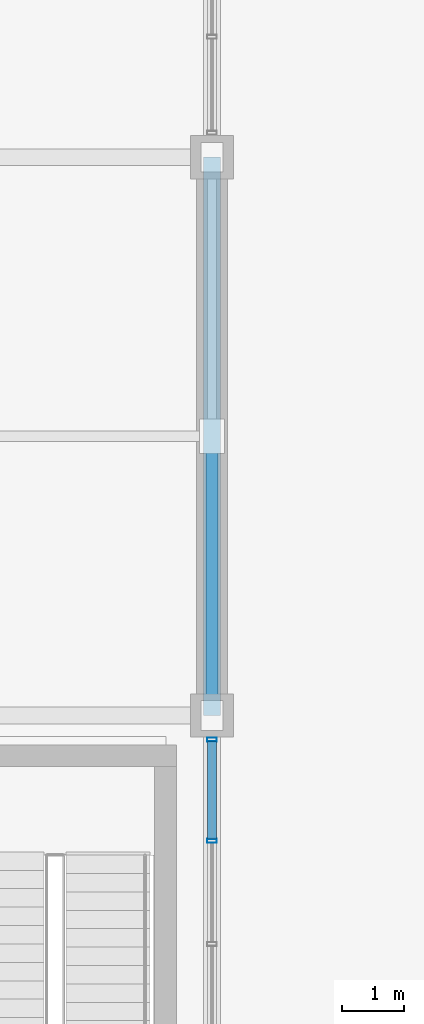
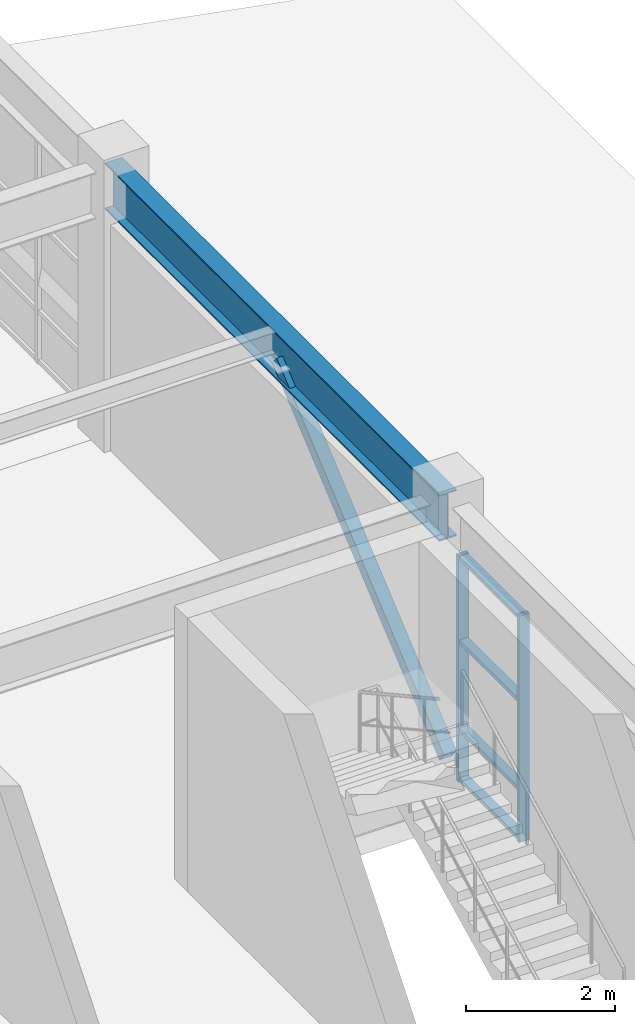
# One storey, part 66 of 104: 7 members, 1 beam, 1 element without a shape of its own.
"""IFC4 building model written with IfcOpenShell, lengths in metres."""

from ifc_helpers import new_model, si_unit, direction, frame, origin, origin_2d, place, context, subcontext, project, spatial, hollow_rectangle, i_section, extrude, material, layer, layer_set, material_profile, profile_set, type_object, element, aggregate, save


model = new_model("IFC4")

# Units and contexts
model_context = context("Model", 3, precision=1e-05, world=origin(), true_north=direction((0.0, 1.0)))
body_context = subcontext(model_context, "Body", "Model", "MODEL_VIEW")
ifc_project = project(units=[si_unit("LENGTHUNIT", "METRE"), si_unit("AREAUNIT", "SQUARE_METRE"), si_unit("VOLUMEUNIT", "CUBIC_METRE"), si_unit("PLANEANGLEUNIT", "RADIAN"), si_unit("MASSUNIT", "GRAM", prefix="KILO")], contexts=[model_context])

# Site, building, storey
site_placement = place(None, origin())
site = spatial("IfcSite", under=ifc_project, at=site_placement, CompositionType="ELEMENT")
building_placement = place(site_placement, origin())
building = spatial("IfcBuilding", under=site, at=building_placement, Name="Ventoquebrada Cableway Terminal", CompositionType="ELEMENT")
storey_placement = place(building_placement, frame((0.0, 0.0, 4.800048828125)))
storey = spatial("IfcBuildingStorey", under=building, at=storey_placement, Name="L01", CompositionType="ELEMENT", Elevation=4.800048828125)

# Beam
ifc_material_1 = material(Name="Steel ASTM A992 Grade 50", Category="steel")
ifc_material_profile_1 = material_profile(ifc_material_1, i_section(OverallWidth=0.26708984375, OverallDepth=0.761962890625, WebThickness=0.014404296875, FlangeThickness=0.021484375, at=origin_2d()), Name="W30X116")
ifc_profile_set_1 = profile_set([ifc_material_profile_1], Name="Steel ASTM A992 Grade 50")
beam_type = type_object("IfcBeamType", Name="BM-ST05", PredefinedType="BEAM", material=ifc_profile_set_1)
beam_placement = place(storey_placement, frame((156.0, 86.0, 4.093994140625), z_axis=(0.0, 1.0, 0.0), x_axis=(-1.0, 0.0, 0.0)))
element("IfcBeam", 1, at=beam_placement, inside=storey, type_object=beam_type, Name="Primary frame girder FBM-0854", PredefinedType="BEAM", context=body_context, shape_type="SweptSolid", body=[
    extrude(i_section(OverallWidth=0.26708984375, OverallDepth=0.761962890625, WebThickness=0.014404296875, FlangeThickness=0.021484375, at=origin_2d()), origin(), (0.0, 0.0, 1.0), 9.0),
])

# Member
ifc_material_2 = material(Name="Steel ASTM A500 Grade C", Category="steel")
ifc_material_profile_2 = material_profile(ifc_material_2, hollow_rectangle(XDim=0.199951171875, YDim=0.199951171875, WallThickness=0.010009765625, at=origin_2d()), Name="HSS200X200X10")
ifc_profile_set_2 = profile_set([ifc_material_profile_2], Name="Steel ASTM A500 Grade C")
member_type_1 = type_object("IfcMemberType", Name="BRC-FR01", PredefinedType="BRACE", material=ifc_profile_set_2)
member_1_placement = place(storey_placement, frame((156.0, 86.0, 0.14990234375), z_axis=(0.0, 0.764025829276, 0.645185657155), x_axis=(-1.0, 0.0, 0.0)))
element("IfcMember", 2, at=member_1_placement, inside=storey, type_object=member_type_1, Name="Concentric lateral chevron brace BR-0533", PredefinedType="BRACE", context=body_context, shape_type="SweptSolid", body=[
    extrude(hollow_rectangle(XDim=0.199951171875, YDim=0.199951171875, WallThickness=0.010009765625, at=origin_2d()), origin(), (0.0, 0.0, 1.0), 5.889892578125),
])

# Curtain wall, members
ifc_material_3 = material(Name="Anodized thermally-broken aluminium", Category="aluminium")
ifc_layer = layer(ifc_material_3, 0.159912109375)
ifc_layer_set = layer_set([ifc_layer], Name="Anodized thermally-broken aluminium")
curtain_wall_type = type_object("IfcCurtainWallType", Name="CW-T31", PredefinedType="USERDEFINED", material=ifc_layer_set)
curtain_wall_placement = place(storey_placement, origin())
curtain_wall = element("IfcCurtainWall", 3, at=curtain_wall_placement, inside=storey, type_object=curtain_wall_type, Name="Unitised glazed curtain wall CW-076", ObjectType="UNITISED CURTAIN WALL", PredefinedType="USERDEFINED")
ifc_material_profile_3 = material_profile(ifc_material_3, hollow_rectangle(XDim=0.06494140625, YDim=0.159912109375, WallThickness=0.00390625, at=origin_2d()), Name="CW-MUL-65X160")
ifc_profile_set_3 = profile_set([ifc_material_profile_3], Name="Anodized thermally-broken aluminium")
member_type_2 = type_object("IfcMemberType", Name="CWM-01", PredefinedType="MULLION", material=ifc_profile_set_3)
member_2_placement = place(storey_placement, frame((156.0, 83.97900390625, -0.008056640625), z_axis=(0.0, 0.0, 1.0), x_axis=(0.0, 1.0, 0.0)))
member_2 = element("IfcMember", 4, at=member_2_placement, type_object=member_type_2, Name="Curtain wall mullion FML-0365", PredefinedType="MULLION", context=body_context, shape_type="SweptSolid", body=[
    extrude(hollow_rectangle(XDim=0.06494140625, YDim=0.159912109375, WallThickness=0.00390625, at=origin_2d()), origin(), (0.0, 0.0, 1.0), 3.720947265625),
])
member_3_placement = place(storey_placement, frame((156.0, 85.610107421875, -0.008056640625), z_axis=(0.0, 0.0, 1.0), x_axis=(0.0, 1.0, 0.0)))
member_3 = element("IfcMember", 5, at=member_3_placement, type_object=member_type_2, Name="Curtain wall mullion FML-0366", PredefinedType="MULLION", context=body_context, shape_type="SweptSolid", body=[
    extrude(hollow_rectangle(XDim=0.06494140625, YDim=0.159912109375, WallThickness=0.00390625, at=origin_2d()), origin(), (0.0, 0.0, 1.0), 3.720947265625),
])
ifc_material_profile_4 = material_profile(ifc_material_3, hollow_rectangle(XDim=0.06494140625, YDim=0.139892578125, WallThickness=0.00390625, at=origin_2d()), Name="CW-TRN-65X140")
ifc_profile_set_4 = profile_set([ifc_material_profile_4], Name="Anodized thermally-broken aluminium")
member_type_3 = type_object("IfcMemberType", Name="CWT-01", PredefinedType="USERDEFINED", material=ifc_profile_set_4)
member_4_placement = place(storey_placement, frame((156.0, 84.007080078125, 0.034912109375), z_axis=(0.0, 1.0, 0.0), x_axis=(0.0, 0.0, 1.0)))
member_4 = element("IfcMember", 6, at=member_4_placement, type_object=member_type_3, Name="Curtain wall transom FTR-1064", ObjectType="TRANSOM", PredefinedType="USERDEFINED", context=body_context, shape_type="SweptSolid", body=[
    extrude(hollow_rectangle(XDim=0.06494140625, YDim=0.139892578125, WallThickness=0.00390625, at=origin_2d()), origin(), (0.0, 0.0, 1.0), 1.574951171875),
])
member_5_placement = place(storey_placement, frame((156.0, 84.007080078125, 0.849853515625), z_axis=(0.0, 1.0, 0.0), x_axis=(0.0, 0.0, 1.0)))
member_5 = element("IfcMember", 7, at=member_5_placement, type_object=member_type_3, Name="Curtain wall transom FTR-1065", ObjectType="TRANSOM", PredefinedType="USERDEFINED", context=body_context, shape_type="SweptSolid", body=[
    extrude(hollow_rectangle(XDim=0.06494140625, YDim=0.139892578125, WallThickness=0.00390625, at=origin_2d()), origin(), (0.0, 0.0, 1.0), 1.574951171875),
])
member_6_placement = place(storey_placement, frame((156.0, 84.007080078125, 2.299072265625), z_axis=(0.0, 1.0, 0.0), x_axis=(0.0, 0.0, 1.0)))
member_6 = element("IfcMember", 8, at=member_6_placement, type_object=member_type_3, Name="Curtain wall transom FTR-1066", ObjectType="TRANSOM", PredefinedType="USERDEFINED", context=body_context, shape_type="SweptSolid", body=[
    extrude(hollow_rectangle(XDim=0.06494140625, YDim=0.139892578125, WallThickness=0.00390625, at=origin_2d()), origin(), (0.0, 0.0, 1.0), 1.574951171875),
])
member_7_placement = place(storey_placement, frame((156.0, 84.007080078125, 3.6728515625), z_axis=(0.0, 1.0, 0.0), x_axis=(0.0, 0.0, 1.0)))
member_7 = element("IfcMember", 9, at=member_7_placement, type_object=member_type_3, Name="Curtain wall transom FTR-1067", ObjectType="TRANSOM", PredefinedType="USERDEFINED", context=body_context, shape_type="SweptSolid", body=[
    extrude(hollow_rectangle(XDim=0.06494140625, YDim=0.139892578125, WallThickness=0.00390625, at=origin_2d()), origin(), (0.0, 0.0, 1.0), 1.574951171875),
])
aggregate(curtain_wall, [member_2, member_3, member_4, member_5, member_6, member_7])

save(model, "model.ifc")
